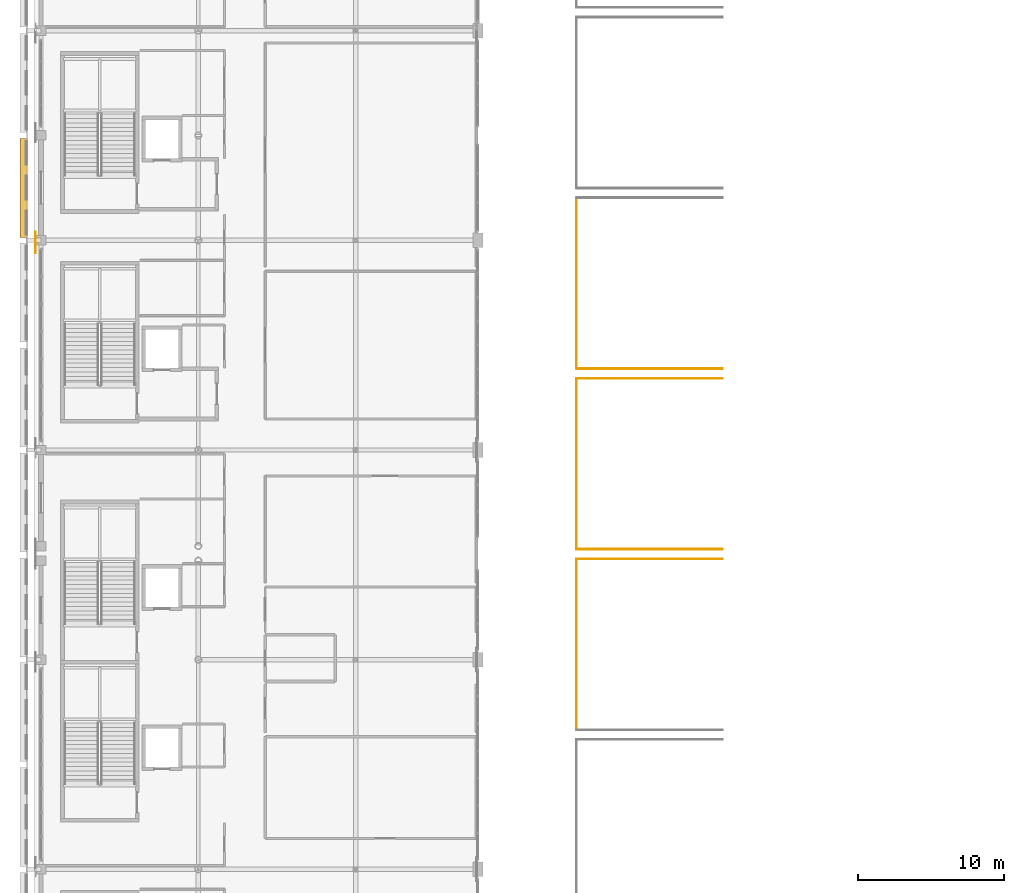
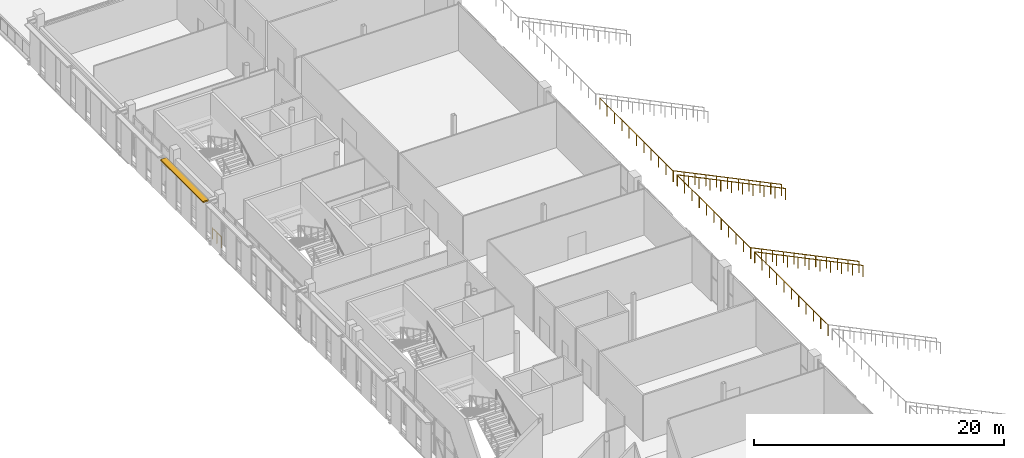
# One storey, part 89 of 104: 8 railings, 1 shading device.
"""IFC4 building model written with IfcOpenShell, lengths in metres."""

from ifc_helpers import new_model, si_unit, direction, frame, origin, origin_2d, place, context, subcontext, project, spatial, rectangle, circle, extrude, material, type_object, element, save


model = new_model("IFC4")

# Units and contexts
model_context = context("Model", 3, precision=1e-05, world=origin(), true_north=direction((0.0, 1.0)))
body_context = subcontext(model_context, "Body", "Model", "MODEL_VIEW")
ifc_project = project(units=[si_unit("LENGTHUNIT", "METRE"), si_unit("AREAUNIT", "SQUARE_METRE"), si_unit("VOLUMEUNIT", "CUBIC_METRE"), si_unit("PLANEANGLEUNIT", "RADIAN"), si_unit("MASSUNIT", "GRAM", prefix="KILO")], contexts=[model_context])

# Site, building, storey
site_placement = place(None, origin())
site = spatial("IfcSite", under=ifc_project, at=site_placement, CompositionType="ELEMENT")
building_placement = place(site_placement, origin())
building = spatial("IfcBuilding", under=site, at=building_placement, Name="Koshinbarg Plaza Stadium", CompositionType="ELEMENT")
storey_placement = place(building_placement, frame((0.0, 0.0, 19.800048828125)))
storey = spatial("IfcBuildingStorey", under=building, at=storey_placement, Name="L04", CompositionType="ELEMENT", Elevation=19.800048828125)

# Railings
ifc_material_1 = material(Name="Toughened laminated glass and stainless steel sightline balustrade", Category="steel")
railing_type_1 = type_object("IfcRailingType", Name="RL-BOWL-1100", PredefinedType="BALUSTRADE", material=ifc_material_1)
railing_1_placement = place(storey_placement, frame((24.22509765625, 96.62841796875, 0.0)))
element("IfcRailing", 1, at=railing_1_placement, inside=storey, type_object=railing_type_1, Name="L04 deck edge safety balustrade 0295", PredefinedType="BALUSTRADE", context=body_context, shape_type="SweptSolid", body=[
    extrude(circle(Radius=0.02392578125, at=origin_2d()), frame((0.0, 0.0, 1.076171875), z_axis=(0.0, 1.0, 0.0), x_axis=(-1.0, 0.0, 0.0)), (0.0, 0.0, 1.0), 1.444580078125),
    extrude(circle(Radius=0.02099609375, at=origin_2d()), origin(), (0.0, 0.0, 1.0), 1.052001953125),
    extrude(circle(Radius=0.02099609375, at=origin_2d()), frame((0.0, 0.72216796875, 0.0)), (0.0, 0.0, 1.0), 1.052001953125),
    extrude(circle(Radius=0.02099609375, at=origin_2d()), frame((0.0, 1.444580078125, 0.0)), (0.0, 0.0, 1.0), 1.052001953125),
])
ifc_material_2 = material(Name="Galvanized painted steel guardrail", Category="steel")
railing_type_2 = type_object("IfcRailingType", Name="RL-GUARD-1100", PredefinedType="GUARDRAIL", material=ifc_material_2)
railing_2_placement = place(storey_placement, frame((61.3798828125, 63.8798828125, -1.739990234375)))
element("IfcRailing", 2, at=railing_2_placement, inside=storey, type_object=railing_type_2, Name="UT-W04 rear stand guard", PredefinedType="GUARDRAIL", context=body_context, shape_type="SweptSolid", body=[
    extrude(circle(Radius=0.02392578125, at=origin_2d()), frame((0.0, 0.0, 1.076171875), z_axis=(0.0, 1.0, 0.0), x_axis=(-1.0, 0.0, 0.0)), (0.0, 0.0, 1.0), 11.740234375),
    extrude(circle(Radius=0.02099609375, at=origin_2d()), origin(), (0.0, 0.0, 1.0), 1.052001953125),
    extrude(circle(Radius=0.02099609375, at=origin_2d()), frame((0.0, 1.174072265625, 0.0)), (0.0, 0.0, 1.0), 1.052001953125),
    extrude(circle(Radius=0.02099609375, at=origin_2d()), frame((0.0, 2.34814453125, 0.0)), (0.0, 0.0, 1.0), 1.052001953125),
    extrude(circle(Radius=0.02099609375, at=origin_2d()), frame((0.0, 3.52197265625, 0.0)), (0.0, 0.0, 1.0), 1.052001953125),
    extrude(circle(Radius=0.02099609375, at=origin_2d()), frame((0.0, 4.696044921875, 0.0)), (0.0, 0.0, 1.0), 1.052001953125),
    extrude(circle(Radius=0.02099609375, at=origin_2d()), frame((0.0, 5.8701171875, 0.0)), (0.0, 0.0, 1.0), 1.052001953125),
    extrude(circle(Radius=0.02099609375, at=origin_2d()), frame((0.0, 7.044189453125, 0.0)), (0.0, 0.0, 1.0), 1.052001953125),
    extrude(circle(Radius=0.02099609375, at=origin_2d()), frame((0.0, 8.21826171875, 0.0)), (0.0, 0.0, 1.0), 1.052001953125),
    extrude(circle(Radius=0.02099609375, at=origin_2d()), frame((0.0, 9.39208984375, 0.0)), (0.0, 0.0, 1.0), 1.052001953125),
    extrude(circle(Radius=0.02099609375, at=origin_2d()), frame((0.0, 10.566162109375, 0.0)), (0.0, 0.0, 1.0), 1.052001953125),
    extrude(circle(Radius=0.02099609375, at=origin_2d()), frame((0.0, 11.740234375, 0.0)), (0.0, 0.0, 1.0), 1.052001953125),
])
railing_3_placement = place(storey_placement, frame((71.39990234375, 75.6201171875, -6.580078125)))
element("IfcRailing", 3, at=railing_3_placement, inside=storey, type_object=railing_type_2, Name="UT-W04 stepped aisle guard R", PredefinedType="GUARDRAIL", context=body_context, shape_type="SweptSolid", body=[
    extrude(circle(Radius=0.02392578125, at=origin_2d()), frame((0.0, 0.0, 1.076171875), z_axis=(-0.900110607261, 0.0, 0.435661445043), x_axis=(0.0, -1.0, 0.0)), (0.0, 0.0, 1.0), 11.10986328125),
    extrude(circle(Radius=0.02099609375, at=origin_2d()), origin(), (0.0, 0.0, 1.0), 1.052001953125),
    extrude(circle(Radius=0.02099609375, at=origin_2d()), frame((-1.0, 0.0, 0.48388671875)), (0.0, 0.0, 1.0), 1.052001953125),
    extrude(circle(Radius=0.02099609375, at=origin_2d()), frame((-2.0, 0.0, 0.968017578125)), (0.0, 0.0, 1.0), 1.052001953125),
    extrude(circle(Radius=0.02099609375, at=origin_2d()), frame((-3.0, 0.0, 1.4521484375)), (0.0, 0.0, 1.0), 1.052001953125),
    extrude(circle(Radius=0.02099609375, at=origin_2d()), frame((-4.0, 0.0, 1.93603515625)), (0.0, 0.0, 1.0), 1.052001953125),
    extrude(circle(Radius=0.02099609375, at=origin_2d()), frame((-5.0, 0.0, 2.419921875)), (0.0, 0.0, 1.0), 1.052001953125),
    extrude(circle(Radius=0.02099609375, at=origin_2d()), frame((-6.0, 0.0, 2.904052734375)), (0.0, 0.0, 1.0), 1.052001953125),
    extrude(circle(Radius=0.02099609375, at=origin_2d()), frame((-7.0, 0.0, 3.38818359375)), (0.0, 0.0, 1.0), 1.052001953125),
    extrude(circle(Radius=0.02099609375, at=origin_2d()), frame((-8.0, 0.0, 3.8720703125)), (0.0, 0.0, 1.0), 1.052001953125),
    extrude(circle(Radius=0.02099609375, at=origin_2d()), frame((-9.0, 0.0, 4.35595703125)), (0.0, 0.0, 1.0), 1.052001953125),
    extrude(circle(Radius=0.02099609375, at=origin_2d()), frame((-10.0, 0.0, 4.840087890625)), (0.0, 0.0, 1.0), 1.052001953125),
])
railing_4_placement = place(storey_placement, frame((61.3798828125, 76.280029296875, -1.739990234375)))
element("IfcRailing", 4, at=railing_4_placement, inside=storey, type_object=railing_type_2, Name="UT-W05 rear stand guard", PredefinedType="GUARDRAIL", context=body_context, shape_type="SweptSolid", body=[
    extrude(circle(Radius=0.02392578125, at=origin_2d()), frame((0.0, 0.0, 1.076171875), z_axis=(0.0, 1.0, 0.0), x_axis=(-1.0, 0.0, 0.0)), (0.0, 0.0, 1.0), 11.739990234375),
    extrude(circle(Radius=0.02099609375, at=origin_2d()), origin(), (0.0, 0.0, 1.0), 1.052001953125),
    extrude(circle(Radius=0.02099609375, at=origin_2d()), frame((0.0, 1.174072265625, 0.0)), (0.0, 0.0, 1.0), 1.052001953125),
    extrude(circle(Radius=0.02099609375, at=origin_2d()), frame((0.0, 2.347900390625, 0.0)), (0.0, 0.0, 1.0), 1.052001953125),
    extrude(circle(Radius=0.02099609375, at=origin_2d()), frame((0.0, 3.52197265625, 0.0)), (0.0, 0.0, 1.0), 1.052001953125),
    extrude(circle(Radius=0.02099609375, at=origin_2d()), frame((0.0, 4.696044921875, 0.0)), (0.0, 0.0, 1.0), 1.052001953125),
    extrude(circle(Radius=0.02099609375, at=origin_2d()), frame((0.0, 5.8701171875, 0.0)), (0.0, 0.0, 1.0), 1.052001953125),
    extrude(circle(Radius=0.02099609375, at=origin_2d()), frame((0.0, 7.0439453125, 0.0)), (0.0, 0.0, 1.0), 1.052001953125),
    extrude(circle(Radius=0.02099609375, at=origin_2d()), frame((0.0, 8.218017578125, 0.0)), (0.0, 0.0, 1.0), 1.052001953125),
    extrude(circle(Radius=0.02099609375, at=origin_2d()), frame((0.0, 9.39208984375, 0.0)), (0.0, 0.0, 1.0), 1.052001953125),
    extrude(circle(Radius=0.02099609375, at=origin_2d()), frame((0.0, 10.56591796875, 0.0)), (0.0, 0.0, 1.0), 1.052001953125),
    extrude(circle(Radius=0.02099609375, at=origin_2d()), frame((0.0, 11.739990234375, 0.0)), (0.0, 0.0, 1.0), 1.052001953125),
])
for number, where, name in (
    (5, (71.39990234375, 76.280029296875, -6.580078125), "UT-W05 stepped aisle guard L"),
    (6, (71.39990234375, 88.02001953125, -6.580078125), "UT-W05 stepped aisle guard R"),
):
    element("IfcRailing", number, at=place(storey_placement, frame(where)), inside=storey, type_object=railing_type_2, Name=name, PredefinedType="GUARDRAIL", context=body_context, shape_type="SweptSolid", body=[
        extrude(circle(Radius=0.02392578125, at=origin_2d()), frame((0.0, 0.0, 1.076171875), z_axis=(-0.900110607261, 0.0, 0.435661445043), x_axis=(0.0, -1.0, 0.0)), (0.0, 0.0, 1.0), 11.10986328125),
        extrude(circle(Radius=0.02099609375, at=origin_2d()), origin(), (0.0, 0.0, 1.0), 1.052001953125),
        extrude(circle(Radius=0.02099609375, at=origin_2d()), frame((-1.0, 0.0, 0.48388671875)), (0.0, 0.0, 1.0), 1.052001953125),
        extrude(circle(Radius=0.02099609375, at=origin_2d()), frame((-2.0, 0.0, 0.968017578125)), (0.0, 0.0, 1.0), 1.052001953125),
        extrude(circle(Radius=0.02099609375, at=origin_2d()), frame((-3.0, 0.0, 1.4521484375)), (0.0, 0.0, 1.0), 1.052001953125),
        extrude(circle(Radius=0.02099609375, at=origin_2d()), frame((-4.0, 0.0, 1.93603515625)), (0.0, 0.0, 1.0), 1.052001953125),
        extrude(circle(Radius=0.02099609375, at=origin_2d()), frame((-5.0, 0.0, 2.419921875)), (0.0, 0.0, 1.0), 1.052001953125),
        extrude(circle(Radius=0.02099609375, at=origin_2d()), frame((-6.0, 0.0, 2.904052734375)), (0.0, 0.0, 1.0), 1.052001953125),
        extrude(circle(Radius=0.02099609375, at=origin_2d()), frame((-7.0, 0.0, 3.38818359375)), (0.0, 0.0, 1.0), 1.052001953125),
        extrude(circle(Radius=0.02099609375, at=origin_2d()), frame((-8.0, 0.0, 3.8720703125)), (0.0, 0.0, 1.0), 1.052001953125),
        extrude(circle(Radius=0.02099609375, at=origin_2d()), frame((-9.0, 0.0, 4.35595703125)), (0.0, 0.0, 1.0), 1.052001953125),
        extrude(circle(Radius=0.02099609375, at=origin_2d()), frame((-10.0, 0.0, 4.840087890625)), (0.0, 0.0, 1.0), 1.052001953125),
    ])
railing_5_placement = place(storey_placement, frame((61.3798828125, 88.679931640625, -1.739990234375)))
element("IfcRailing", 7, at=railing_5_placement, inside=storey, type_object=railing_type_2, Name="UT-W06 rear stand guard", PredefinedType="GUARDRAIL", context=body_context, shape_type="SweptSolid", body=[
    extrude(circle(Radius=0.02392578125, at=origin_2d()), frame((0.0, 0.0, 1.076171875), z_axis=(0.0, 1.0, 0.0), x_axis=(-1.0, 0.0, 0.0)), (0.0, 0.0, 1.0), 11.739990234375),
    extrude(circle(Radius=0.02099609375, at=origin_2d()), origin(), (0.0, 0.0, 1.0), 1.052001953125),
    extrude(circle(Radius=0.02099609375, at=origin_2d()), frame((0.0, 1.174072265625, 0.0)), (0.0, 0.0, 1.0), 1.052001953125),
    extrude(circle(Radius=0.02099609375, at=origin_2d()), frame((0.0, 2.347900390625, 0.0)), (0.0, 0.0, 1.0), 1.052001953125),
    extrude(circle(Radius=0.02099609375, at=origin_2d()), frame((0.0, 3.52197265625, 0.0)), (0.0, 0.0, 1.0), 1.052001953125),
    extrude(circle(Radius=0.02099609375, at=origin_2d()), frame((0.0, 4.696044921875, 0.0)), (0.0, 0.0, 1.0), 1.052001953125),
    extrude(circle(Radius=0.02099609375, at=origin_2d()), frame((0.0, 5.8701171875, 0.0)), (0.0, 0.0, 1.0), 1.052001953125),
    extrude(circle(Radius=0.02099609375, at=origin_2d()), frame((0.0, 7.0439453125, 0.0)), (0.0, 0.0, 1.0), 1.052001953125),
    extrude(circle(Radius=0.02099609375, at=origin_2d()), frame((0.0, 8.218017578125, 0.0)), (0.0, 0.0, 1.0), 1.052001953125),
    extrude(circle(Radius=0.02099609375, at=origin_2d()), frame((0.0, 9.39208984375, 0.0)), (0.0, 0.0, 1.0), 1.052001953125),
    extrude(circle(Radius=0.02099609375, at=origin_2d()), frame((0.0, 10.56591796875, 0.0)), (0.0, 0.0, 1.0), 1.052001953125),
    extrude(circle(Radius=0.02099609375, at=origin_2d()), frame((0.0, 11.739990234375, 0.0)), (0.0, 0.0, 1.0), 1.052001953125),
])
railing_6_placement = place(storey_placement, frame((71.39990234375, 88.679931640625, -6.580078125)))
element("IfcRailing", 8, at=railing_6_placement, inside=storey, type_object=railing_type_2, Name="UT-W06 stepped aisle guard L", PredefinedType="GUARDRAIL", context=body_context, shape_type="SweptSolid", body=[
    extrude(circle(Radius=0.02392578125, at=origin_2d()), frame((0.0, 0.0, 1.076171875), z_axis=(-0.900110607261, 0.0, 0.435661445043), x_axis=(0.0, -1.0, 0.0)), (0.0, 0.0, 1.0), 11.10986328125),
    extrude(circle(Radius=0.02099609375, at=origin_2d()), origin(), (0.0, 0.0, 1.0), 1.052001953125),
    extrude(circle(Radius=0.02099609375, at=origin_2d()), frame((-1.0, 0.0, 0.48388671875)), (0.0, 0.0, 1.0), 1.052001953125),
    extrude(circle(Radius=0.02099609375, at=origin_2d()), frame((-2.0, 0.0, 0.968017578125)), (0.0, 0.0, 1.0), 1.052001953125),
    extrude(circle(Radius=0.02099609375, at=origin_2d()), frame((-3.0, 0.0, 1.4521484375)), (0.0, 0.0, 1.0), 1.052001953125),
    extrude(circle(Radius=0.02099609375, at=origin_2d()), frame((-4.0, 0.0, 1.93603515625)), (0.0, 0.0, 1.0), 1.052001953125),
    extrude(circle(Radius=0.02099609375, at=origin_2d()), frame((-5.0, 0.0, 2.419921875)), (0.0, 0.0, 1.0), 1.052001953125),
    extrude(circle(Radius=0.02099609375, at=origin_2d()), frame((-6.0, 0.0, 2.904052734375)), (0.0, 0.0, 1.0), 1.052001953125),
    extrude(circle(Radius=0.02099609375, at=origin_2d()), frame((-7.0, 0.0, 3.38818359375)), (0.0, 0.0, 1.0), 1.052001953125),
    extrude(circle(Radius=0.02099609375, at=origin_2d()), frame((-8.0, 0.0, 3.8720703125)), (0.0, 0.0, 1.0), 1.052001953125),
    extrude(circle(Radius=0.02099609375, at=origin_2d()), frame((-9.0, 0.0, 4.35595703125)), (0.0, 0.0, 1.0), 1.052001953125),
    extrude(circle(Radius=0.02099609375, at=origin_2d()), frame((-10.0, 0.0, 4.840087890625)), (0.0, 0.0, 1.0), 1.052001953125),
])

# Shading device
ifc_material_3 = material(Name="Off-white powder-coated aluminium sun-baffle louvre", Category="aluminium")
shading_device_type = type_object("IfcShadingDeviceType", Name="SHD-LOUVRE-01", PredefinedType="USERDEFINED", material=ifc_material_3)
shading_device_placement = place(storey_placement, frame((23.429931640625, 101.10009765625, 4.119873046875), z_axis=(0.0, 0.0, 1.0), x_axis=(1.0, 0.0, 0.0)))
element("IfcShadingDevice", 9, at=shading_device_placement, inside=storey, type_object=shading_device_type, Name="L04 solar brise-soleil louvre 25", ObjectType="LOUVRE", PredefinedType="USERDEFINED", context=body_context, shape_type="SweptSolid", body=[
    extrude(rectangle(XDim=0.550048828125, YDim=6.800048828125, at=origin_2d()), origin(), (0.0, 0.0, 1.0), 0.1201171875),
])

save(model, "model.ifc")
